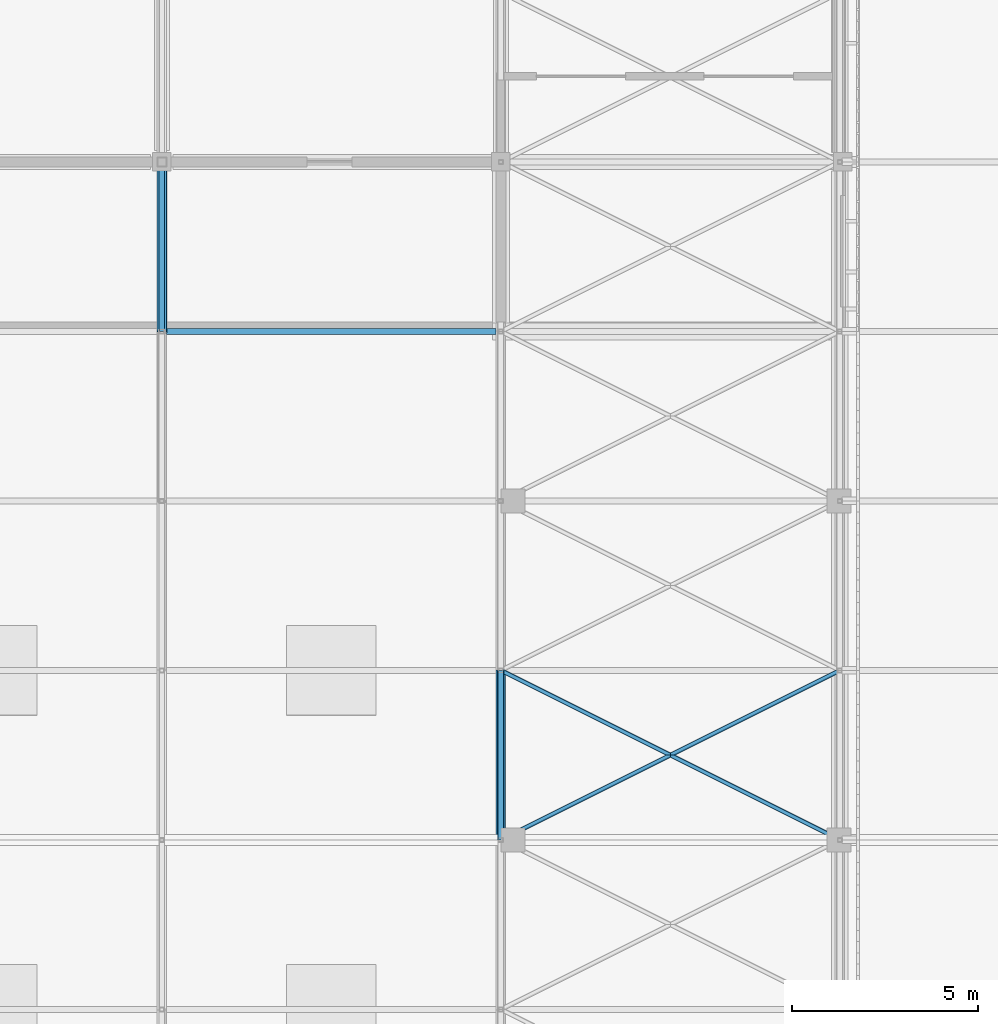
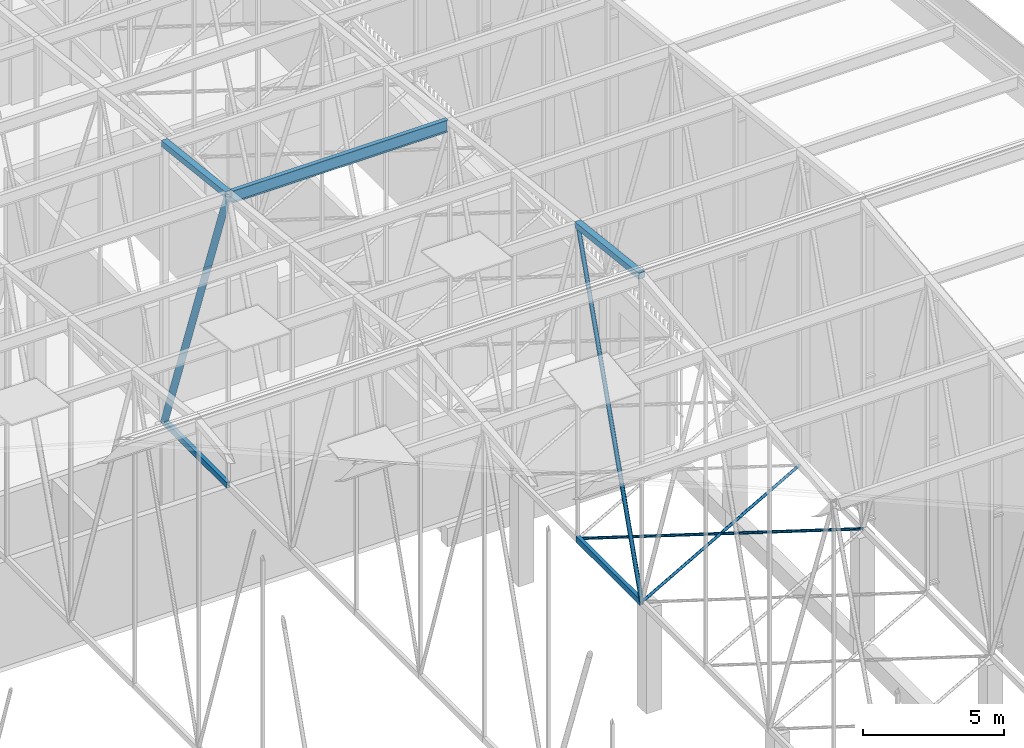
# One storey, part 372 of 500: 9 members.
"""IFC4 building model written with IfcOpenShell, lengths in metres."""

from ifc_helpers import new_model, si_unit, direction, frame, origin, origin_2d, place, context, subcontext, project, spatial, hollow_rectangle, hollow_circle, i_section, extrude, material, material_profile, profile_set, type_object, element, save


model = new_model("IFC4")

# Units and contexts
model_context = context("Model", 3, precision=1e-05, world=origin(), true_north=direction((0.0, 1.0)))
body_context = subcontext(model_context, "Body", "Model", "MODEL_VIEW")
ifc_project = project(units=[si_unit("LENGTHUNIT", "METRE"), si_unit("AREAUNIT", "SQUARE_METRE"), si_unit("VOLUMEUNIT", "CUBIC_METRE"), si_unit("PLANEANGLEUNIT", "RADIAN"), si_unit("MASSUNIT", "GRAM", prefix="KILO")], contexts=[model_context])

# Site, building, storey
site_placement = place(None, origin())
site = spatial("IfcSite", under=ifc_project, at=site_placement, CompositionType="ELEMENT")
building_placement = place(site_placement, origin())
building = spatial("IfcBuilding", under=site, at=building_placement, Name="Shirokan Park Arena", CompositionType="ELEMENT")
storey_placement = place(building_placement, frame((0.0, 0.0, 29.1201171875)))
storey = spatial("IfcBuildingStorey", under=building, at=storey_placement, Name="L06", CompositionType="ELEMENT", Elevation=29.1201171875)

# Members
ifc_material_1 = material(Name="Steel ASTM A500 Grade C", Category="steel")
ifc_material_profile_1 = material_profile(ifc_material_1, hollow_rectangle(XDim=0.152099609375, YDim=0.25390625, WallThickness=0.009521484375, at=origin_2d()), Name="HSS254X152.4X9.5")
ifc_profile_set_1 = profile_set([ifc_material_profile_1], Name="Steel ASTM A500 Grade C")
member_type_1 = type_object("IfcMemberType", Name="Bottom chord HSS254X152.4X9.5", PredefinedType="CHORD", material=ifc_profile_set_1)
member_1_placement = place(storey_placement, frame((127.39990234375, 68.25, 4.677001953125), z_axis=(0.0, 1.0, 0.0), x_axis=(-1.0, 0.0, 0.0)))
element("IfcMember", 1, at=member_1_placement, inside=storey, type_object=member_type_1, Name="Truss T15 bottom chord 18", PredefinedType="CHORD", context=body_context, shape_type="SweptSolid", body=[
    extrude(hollow_rectangle(XDim=0.152099609375, YDim=0.25390625, WallThickness=0.009521484375, at=origin_2d()), origin(), (0.0, 0.0, 1.0), 4.550048828125),
])
member_2_placement = place(storey_placement, frame((136.5, 54.60009765625, 4.677001953125), z_axis=(0.0, 1.0, 0.0), x_axis=(-1.0, 0.0, 0.0)))
element("IfcMember", 2, at=member_2_placement, inside=storey, type_object=member_type_1, Name="Truss T16 bottom chord 15", PredefinedType="CHORD", context=body_context, shape_type="SweptSolid", body=[
    extrude(hollow_rectangle(XDim=0.152099609375, YDim=0.25390625, WallThickness=0.009521484375, at=origin_2d()), origin(), (0.0, 0.0, 1.0), 4.5498046875),
])
ifc_material_profile_2 = material_profile(ifc_material_1, hollow_circle(Radius=0.056884765625, WallThickness=0.006103515625, at=origin_2d()), Name="HSS114.3X6")
ifc_profile_set_2 = profile_set([ifc_material_profile_2], Name="Steel ASTM A500 Grade C")
member_type_2 = type_object("IfcMemberType", Name="Plan bracing HSS114.3X6", PredefinedType="BRACE", material=ifc_profile_set_2)
for number, where, z_axis, x_axis, name in (
    (3, (136.5, 54.60009765625, 4.677001953125), (0.8944367893, 0.447194398385, 0.0), (-0.447194398385, 0.8944367893, 0.0), "Plan bracing bay 16 panel 15 A"),
    (4, (145.60009765625, 54.60009765625, 4.677001953125), (-0.8944367893, 0.447194398385, 0.0), (-0.447194398385, -0.8944367893, 0.0), "Plan bracing bay 16 panel 15 B"),
):
    element("IfcMember", number, at=place(storey_placement, frame(where, z_axis=z_axis, x_axis=x_axis)), inside=storey, type_object=member_type_2, Name=name, PredefinedType="BRACE", context=body_context, shape_type="SweptSolid", body=[
        extrude(hollow_circle(Radius=0.056884765625, WallThickness=0.006103515625, at=origin_2d()), origin(), (0.0, 0.0, 1.0), 10.174072265625),
    ])
ifc_material_2 = material(Name="Steel ASTM A992", Category="steel")
ifc_material_profile_3 = material_profile(ifc_material_2, i_section(OverallWidth=0.166015625, OverallDepth=0.528076171875, WebThickness=0.009765625, FlangeThickness=0.013671875, at=origin_2d()), Name="W530X74")
ifc_profile_set_3 = profile_set([ifc_material_profile_3], Name="Steel ASTM A992")
member_type_3 = type_object("IfcMemberType", Name="Purlin W530X74", PredefinedType="PURLIN", material=ifc_profile_set_3)
member_3_placement = place(storey_placement, frame((127.527099609375, 68.25, 17.165771484375), z_axis=(1.0, 0.0, 0.0), x_axis=(0.0, 1.0, 0.0)))
element("IfcMember", 5, at=member_3_placement, inside=storey, type_object=member_type_3, Name="Purlin 18 bay 15", PredefinedType="PURLIN", context=body_context, shape_type="SweptSolid", body=[
    extrude(i_section(OverallWidth=0.166015625, OverallDepth=0.528076171875, WebThickness=0.009765625, FlangeThickness=0.013671875, at=origin_2d()), origin(), (0.0, 0.0, 1.0), 8.845947265625),
])
ifc_material_profile_4 = material_profile(ifc_material_1, hollow_rectangle(XDim=0.25390625, YDim=0.25390625, WallThickness=0.009521484375, at=origin_2d()), Name="HSS254X254X9.5")
ifc_profile_set_4 = profile_set([ifc_material_profile_4], Name="Steel ASTM A500 Grade C")
member_type_4 = type_object("IfcMemberType", Name="Top chord HSS254X254X9.5", PredefinedType="CHORD", material=ifc_profile_set_4)
member_4_placement = place(storey_placement, frame((127.39990234375, 68.25, 17.302978515625), z_axis=(0.0, 0.993532328996, -0.113549598152), x_axis=(-1.0, 0.0, 0.0)))
element("IfcMember", 6, at=member_4_placement, inside=storey, type_object=member_type_4, Name="Truss T15 top chord 18", PredefinedType="CHORD", context=body_context, shape_type="SweptSolid", body=[
    extrude(hollow_rectangle(XDim=0.25390625, YDim=0.25390625, WallThickness=0.009521484375, at=origin_2d()), origin(), (0.0, 0.0, 1.0), 4.57958984375),
])
member_5_placement = place(storey_placement, frame((136.5, 54.60009765625, 18.86279296875), z_axis=(0.0, 0.993531641592, -0.11355561261), x_axis=(-1.0, 0.0, 0.0)))
element("IfcMember", 7, at=member_5_placement, inside=storey, type_object=member_type_4, Name="Truss T16 top chord 15", PredefinedType="CHORD", context=body_context, shape_type="SweptSolid", body=[
    extrude(hollow_rectangle(XDim=0.25390625, YDim=0.25390625, WallThickness=0.009521484375, at=origin_2d()), origin(), (0.0, 0.0, 1.0), 4.579345703125),
])
ifc_material_profile_5 = material_profile(ifc_material_1, hollow_circle(Radius=0.083984375, WallThickness=0.009521484375, at=origin_2d()), Name="HSS168.3X9.5")
ifc_profile_set_5 = profile_set([ifc_material_profile_5], Name="Steel ASTM A500 Grade C")
member_type_5 = type_object("IfcMemberType", Name="Truss diagonal HSS168.3X9.5", PredefinedType="BRACE", material=ifc_profile_set_5)
member_6_placement = place(storey_placement, frame((136.5, 54.60009765625, 4.677001953125), z_axis=(0.0, 0.315887043243, 0.948796804332), x_axis=(-1.0, 0.0, 0.0)))
element("IfcMember", 8, at=member_6_placement, inside=storey, type_object=member_type_5, Name="Truss T16 diagonal 15", PredefinedType="BRACE", context=body_context, shape_type="SweptSolid", body=[
    extrude(hollow_circle(Radius=0.083984375, WallThickness=0.009521484375, at=origin_2d()), origin(), (0.0, 0.0, 1.0), 14.4033203125),
])
ifc_material_profile_6 = material_profile(ifc_material_1, hollow_circle(Radius=0.136474609375, WallThickness=0.009521484375, at=origin_2d()), Name="HSS273.1X9.5")
ifc_profile_set_6 = profile_set([ifc_material_profile_6], Name="Steel ASTM A500 Grade C")
member_type_6 = type_object("IfcMemberType", Name="Truss diagonal HSS273.1X9.5", PredefinedType="BRACE", material=ifc_profile_set_6)
member_7_placement = place(storey_placement, frame((127.39990234375, 68.25, 17.302978515625), z_axis=(0.0, 0.339029292845, -0.940775817394), x_axis=(-1.0, 0.0, 0.0)))
element("IfcMember", 9, at=member_7_placement, inside=storey, type_object=member_type_6, Name="Truss T15 diagonal 18", PredefinedType="BRACE", context=body_context, shape_type="SweptSolid", body=[
    extrude(hollow_circle(Radius=0.136474609375, WallThickness=0.009521484375, at=origin_2d()), origin(), (0.0, 0.0, 1.0), 13.4208984375),
])

save(model, "model.ifc")
